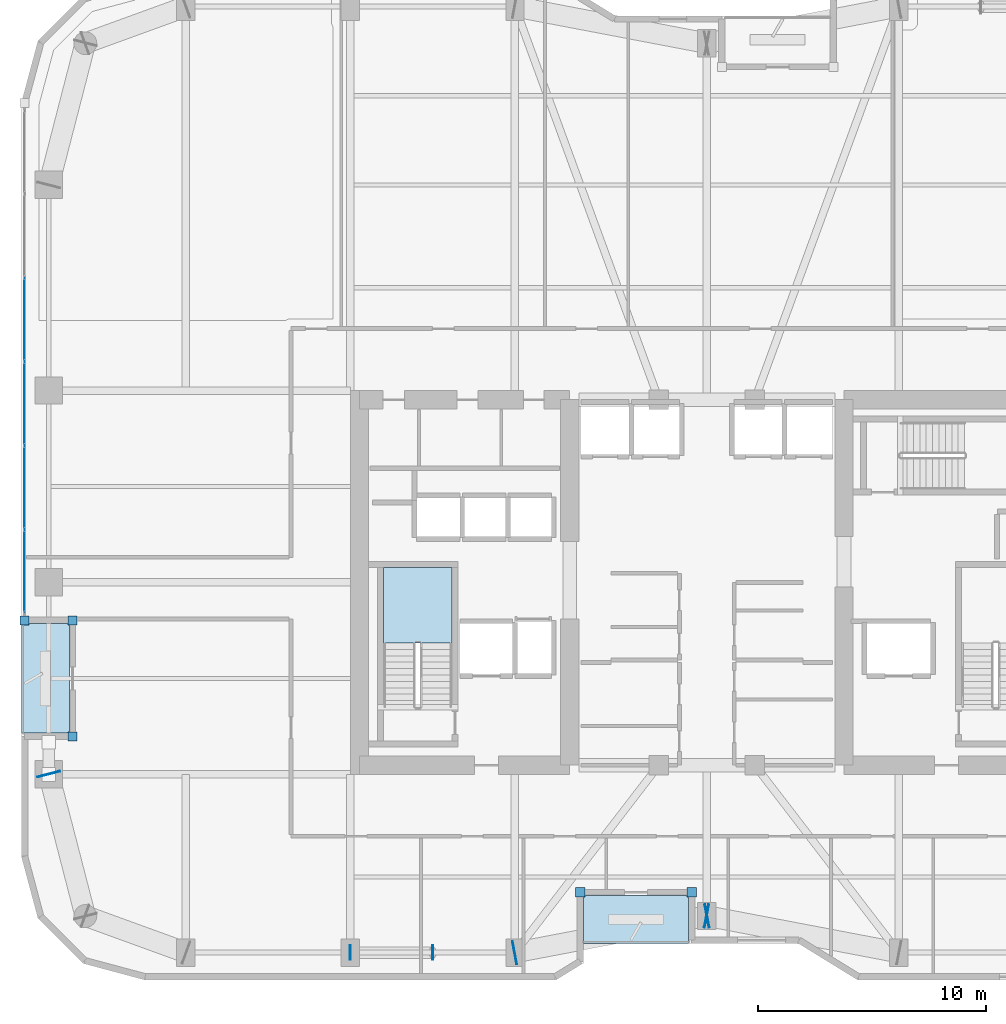
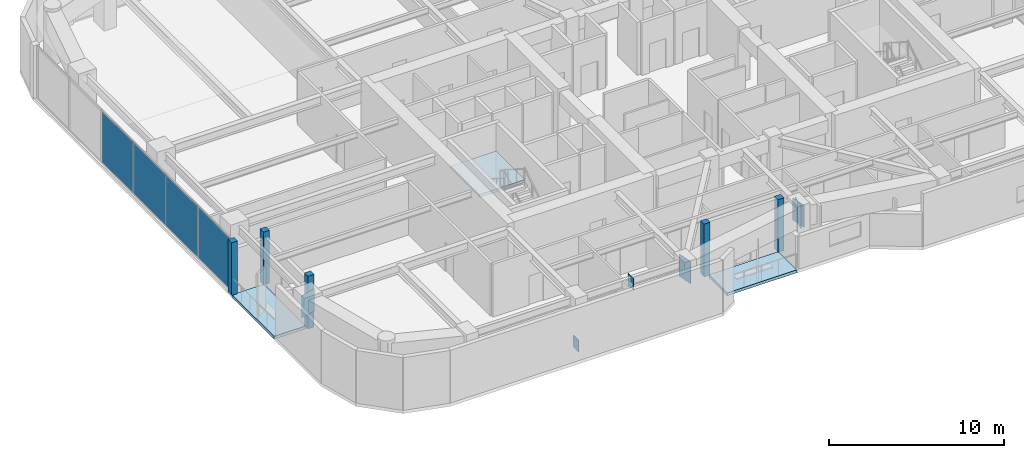
# One storey, part 21 of 30: 15 plates, 3 slabs, 2 elements without a shape of their own.
"""IFC4 building model written with IfcOpenShell, lengths in metres."""

from ifc_helpers import new_model, si_unit, direction, frame, origin, origin_2d, place, context, subcontext, project, spatial, polyline, rectangle, outline, extrude, material, layer, layer_set, type_object, element, aggregate, save


model = new_model("IFC4")

# Units and contexts
model_context = context("Model", 3, precision=1e-05, world=origin(), true_north=direction((0.0, 1.0)))
body_context = subcontext(model_context, "Body", "Model", "MODEL_VIEW")
ifc_project = project(units=[si_unit("LENGTHUNIT", "METRE"), si_unit("AREAUNIT", "SQUARE_METRE"), si_unit("VOLUMEUNIT", "CUBIC_METRE"), si_unit("PLANEANGLEUNIT", "RADIAN"), si_unit("MASSUNIT", "GRAM", prefix="KILO")], contexts=[model_context])

# Site, building, storey
site_placement = place(None, origin())
site = spatial("IfcSite", under=ifc_project, at=site_placement, CompositionType="ELEMENT")
building_placement = place(site_placement, origin())
building = spatial("IfcBuilding", under=site, at=building_placement, Name="Kiyonajd Concourse Tower", CompositionType="ELEMENT")
storey_placement = place(building_placement, frame((0.0, 0.0, 170.10009765625)))
storey = spatial("IfcBuildingStorey", under=building, at=storey_placement, Name="L43", CompositionType="ELEMENT", Elevation=170.10009765625)

# Plates
ifc_material_1 = material(Name="Steel ASTM A572 Grade 50", Category="steel")
ifc_layer_1 = layer(ifc_material_1, 0.028076171875)
ifc_layer_set_1 = layer_set([ifc_layer_1], Name="Steel ASTM A572 Grade 50")
plate_type_1 = type_object("IfcPlateType", Name="PL-CAP-450", PredefinedType="USERDEFINED", material=ifc_layer_set_1)
for number, where, z_axis, x_axis, name in (
    (1, (32.3916015625, 19.800048828125, -0.109375), (0.0, 0.0, 1.0), (-1.0, 0.0, 0.0), "L43 Hollow Brace End Cap Plate PBS"),
    (2, (36.00830078125, 19.800048828125, 2.93505859375), (0.0, 0.0, 1.0), (1.0, 0.0, 0.0), "L43 Hollow Brace Top Cap Plate PBS"),
):
    element("IfcPlate", number, at=place(storey_placement, frame(where, z_axis=z_axis, x_axis=x_axis)), inside=storey, type_object=plate_type_1, Name=name, ObjectType="CAP PLATE", PredefinedType="USERDEFINED", context=body_context, shape_type="SweptSolid", body=[
        extrude(rectangle(XDim=0.035888671875, YDim=0.6279296875, at=origin_2d()), origin(), (0.0, 0.0, 1.0), 0.803955078125),
    ])
ifc_layer_2 = layer(ifc_material_1, 0.031982421875)
ifc_layer_set_2 = layer_set([ifc_layer_2], Name="Steel ASTM A572 Grade 50")
plate_type_2 = type_object("IfcPlateType", Name="PL-CAP-540", PredefinedType="USERDEFINED", material=ifc_layer_set_2)
for number, where, z_axis, x_axis, name in (
    (3, (19.197265625, 27.610595703125, 2.2099609375), (0.0, 0.0, 1.0), (-0.249873048837, 0.968278606324, 0.0), "L43 Welded Box Girder End Cap"),
    (4, (39.589111328125, 19.7978515625, 2.2099609375), (0.0, 0.0, 1.0), (-0.982352599301, -0.187038420242, 0.0), "L43 Welded Box Girder End Cap"),
    (5, (48.0107421875, 21.402099609375, 2.2099609375), (0.0, 0.0, 1.0), (0.982352599301, 0.187038420242, 0.0), "L43 Welded Box Girder End Cap"),
    (6, (47.9892578125, 21.402099609375, 2.2099609375), (0.0, 0.0, 1.0), (-0.982352599301, 0.187038420242, 0.0), "L43 Welded Box Girder End Cap"),
):
    element("IfcPlate", number, at=place(storey_placement, frame(where, z_axis=z_axis, x_axis=x_axis)), inside=storey, type_object=plate_type_2, Name=name, ObjectType="CAP PLATE", PredefinedType="USERDEFINED", context=body_context, shape_type="SweptSolid", body=[
        extrude(rectangle(XDim=0.035888671875, YDim=1.02001953125, at=origin_2d()), origin(), (0.0, 0.0, 1.0), 1.5400390625),
    ])

# Curtain wall, plates
ifc_material_2 = material(Name="Thermally Broken Anodised Aluminium", Category="aluminium")
ifc_layer_3 = layer(ifc_material_2, 0.179931640625)
ifc_layer_set_3 = layer_set([ifc_layer_3], Name="Thermally Broken Anodised Aluminium")
curtain_wall_type = type_object("IfcCurtainWallType", Name="CW-SYS-03", PredefinedType="NOTDEFINED", material=ifc_layer_set_3)
curtain_wall_placement = place(storey_placement, origin())
curtain_wall = element("IfcCurtainWall", 7, at=curtain_wall_placement, inside=storey, type_object=curtain_wall_type, Name="L43 Unitised Curtain Wall CW3", PredefinedType="NOTDEFINED")
ifc_material_3 = material(Name="Double Low-E Insulated Glass", Category="glass")
ifc_layer_4 = layer(ifc_material_3, 0.033935546875)
ifc_layer_set_4 = layer_set([ifc_layer_4], Name="Double Low-E Insulated Glass")
plate_type_3 = type_object("IfcPlateType", Name="PL-CW-VIS34", PredefinedType="CURTAIN_PANEL", material=ifc_layer_set_4)
plate_1_placement = place(storey_placement, frame((18.139892578125, 36.484619140625, 0.06494140625), z_axis=(0.0, 0.0, 1.0), x_axis=(0.0, 1.0, 0.0)))
plate_1 = element("IfcPlate", 8, at=plate_1_placement, type_object=plate_type_3, Name="CW3 panel 1.1", PredefinedType="CURTAIN_PANEL", context=body_context, shape_type="SweptSolid", body=[
    extrude(rectangle(XDim=3.579345703125, YDim=0.033935546875, at=origin_2d()), origin(), (0.0, 0.0, 1.0), 3.550048828125),
])
plate_2_placement = place(storey_placement, frame((18.139892578125, 40.1455078125, 0.06494140625), z_axis=(0.0, 0.0, 1.0), x_axis=(0.0, 1.0, 0.0)))
plate_2 = element("IfcPlate", 9, at=plate_2_placement, type_object=plate_type_3, Name="CW3 panel 2.1", PredefinedType="CURTAIN_PANEL", context=body_context, shape_type="SweptSolid", body=[
    extrude(rectangle(XDim=3.61181640625, YDim=0.033935546875, at=origin_2d()), origin(), (0.0, 0.0, 1.0), 3.550048828125),
])
plate_3_placement = place(storey_placement, frame((18.139892578125, 43.822265625, 0.06494140625), z_axis=(0.0, 0.0, 1.0), x_axis=(0.0, 1.0, 0.0)))
plate_3 = element("IfcPlate", 10, at=plate_3_placement, type_object=plate_type_3, Name="CW3 panel 3.1", PredefinedType="CURTAIN_PANEL", context=body_context, shape_type="SweptSolid", body=[
    extrude(rectangle(XDim=3.61181640625, YDim=0.033935546875, at=origin_2d()), origin(), (0.0, 0.0, 1.0), 3.550048828125),
])
plate_4_placement = place(storey_placement, frame((18.139892578125, 47.499267578125, 0.06494140625), z_axis=(0.0, 0.0, 1.0), x_axis=(0.0, 1.0, 0.0)))
plate_4 = element("IfcPlate", 11, at=plate_4_placement, type_object=plate_type_3, Name="CW3 panel 4.1", PredefinedType="CURTAIN_PANEL", context=body_context, shape_type="SweptSolid", body=[
    extrude(rectangle(XDim=3.61181640625, YDim=0.033935546875, at=origin_2d()), origin(), (0.0, 0.0, 1.0), 3.550048828125),
])
aggregate(curtain_wall, [plate_1, plate_2, plate_3, plate_4])

# Plates
ifc_layer_5 = layer(ifc_material_2, 0.39990234375)
ifc_layer_set_5 = layer_set([ifc_layer_5], Name="Thermally Broken Anodised Aluminium")
plate_type_4 = type_object("IfcPlateType", Name="PL-JMB-400", PredefinedType="USERDEFINED", material=ifc_layer_set_5)
for number, where, z_axis, x_axis, name in (
    (12, (20.239990234375, 29.260009765625, 0.0), (0.0, 0.0, 1.0), (1.0, 0.0, 0.0), "L43 Facade Jamb Closure Plate 01"),
    (13, (20.239990234375, 34.340087890625, 0.0), (0.0, 0.0, 1.0), (1.0, 0.0, 0.0), "L43 Facade Jamb Closure Plate 02"),
    (14, (18.139892578125, 34.340087890625, 0.0), (0.0, 0.0, 1.0), (1.0, 0.0, 0.0), "L43 Facade Jamb Closure Plate 03"),
    (15, (47.340087890625, 22.43994140625, 0.0), (0.0, 0.0, 1.0), (1.0, 0.0, 0.0), "L43 Facade Jamb Closure Plate 13"),
    (16, (42.4599609375, 22.43994140625, 0.0), (0.0, 0.0, 1.0), (1.0, 0.0, 0.0), "L43 Facade Jamb Closure Plate 14"),
):
    element("IfcPlate", number, at=place(storey_placement, frame(where, z_axis=z_axis, x_axis=x_axis)), inside=storey, type_object=plate_type_4, Name=name, ObjectType="JAMB PLATE", PredefinedType="USERDEFINED", context=body_context, shape_type="SweptSolid", body=[
        extrude(rectangle(XDim=0.39990234375, YDim=0.39990234375, at=origin_2d()), origin(), (0.0, 0.0, 1.0), 3.679931640625),
    ])

# Stair, slab
ifc_material_4 = material(Name="Concrete C40/50", Category="concrete")
stair_type = type_object("IfcStairType", Name="ST-DLG-22R", PredefinedType="HALF_TURN_STAIR", material=ifc_material_4)
stair_placement = place(storey_placement, origin())
stair = element("IfcStair", 17, at=stair_placement, inside=storey, type_object=stair_type, Name="L43 Protected Exit Stair ST1", PredefinedType="HALF_TURN_STAIR")
ifc_layer_6 = layer(ifc_material_4, 0.199951171875)
ifc_layer_set_6 = layer_set([ifc_layer_6], Name="Concrete C40/50")
slab_type_1 = type_object("IfcSlabType", Name="SL-LND-200", PredefinedType="LANDING", material=ifc_layer_set_6)
slab_1_placement = place(storey_placement, frame((0.0, 0.0, 1.75)))
slab_1 = element("IfcSlab", 18, at=slab_1_placement, type_object=slab_type_1, Name="ST1 landing 1", PredefinedType="LANDING", context=body_context, shape_type="SweptSolid", body=[
    extrude(outline(polyline([(36.85009765625, 33.35009765625), (36.85009765625, 36.64990234375), (33.85009765625, 36.64990234375), (33.85009765625, 33.35009765625), (36.85009765625, 33.35009765625)])), origin(), (0.0, 0.0, 1.0), 0.199951171875),
])
aggregate(stair, [slab_1])

# Slabs
ifc_material_5 = material(Name="Precast concrete C50/60", Category="concrete")
ifc_layer_7 = layer(ifc_material_5, 0.199951171875)
ifc_layer_set_7 = layer_set([ifc_layer_7], Name="Precast concrete C50/60")
slab_type_2 = type_object("IfcSlabType", Name="SL-LOG-200", PredefinedType="FLOOR", material=ifc_layer_set_7)
slab_2_placement = place(storey_placement, frame((0.0, 0.0, -0.2001953125)))
element("IfcSlab", 19, at=slab_2_placement, inside=storey, type_object=slab_type_2, Name="L43 Recessed Engawa Loggia Terrace Slab LOG-S", PredefinedType="FLOOR", context=body_context, shape_type="SweptSolid", body=[
    extrude(outline(polyline([(42.60009765625, 20.199951171875), (47.199951171875, 20.199951171875), (47.199951171875, 22.300048828125), (42.60009765625, 22.300048828125), (42.60009765625, 20.199951171875)])), origin(), (0.0, 0.0, 1.0), 0.2001953125),
])
slab_3_placement = place(storey_placement, frame((0.0, 0.0, -0.2001953125)))
element("IfcSlab", 20, at=slab_3_placement, inside=storey, type_object=slab_type_2, Name="L43 Recessed Engawa Loggia Terrace Slab LOG-W", PredefinedType="FLOOR", context=body_context, shape_type="SweptSolid", body=[
    extrude(outline(polyline([(18.0, 29.39990234375), (20.10009765625, 29.39990234375), (20.10009765625, 34.199951171875), (18.0, 34.199951171875), (18.0, 29.39990234375)])), origin(), (0.0, 0.0, 1.0), 0.2001953125),
])

save(model, "model.ifc")
